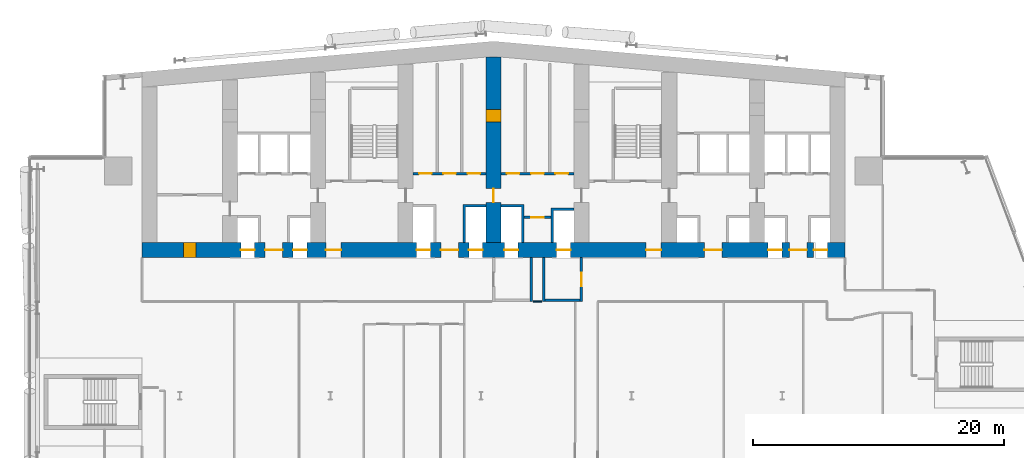
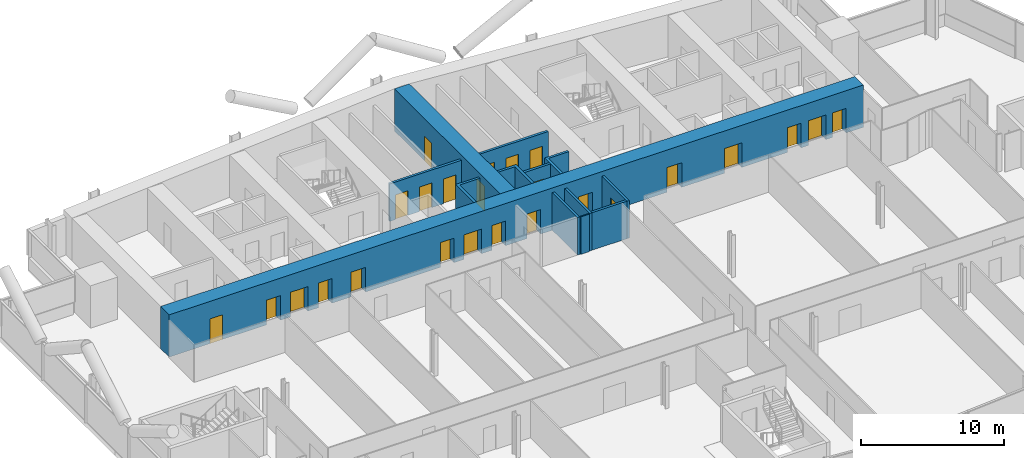
# One storey, part 16 of 27: 25 doors, 13 walls, 25 openings.
"""IFC4 building model written with IfcOpenShell, lengths in metres."""

from ifc_helpers import new_model, si_unit, direction, frame, frame_2d, origin, place, context, subcontext, project, spatial, polyline, rectangle, outline, extrude, material, layer, layer_set, type_object, element, fill, save


model = new_model("IFC4")

# Units and contexts
model_context = context("Model", 3, precision=1e-05, world=origin(), true_north=direction((0.0, 1.0)))
body_context = subcontext(model_context, "Body", "Model", "MODEL_VIEW")
ifc_project = project(units=[si_unit("LENGTHUNIT", "METRE"), si_unit("AREAUNIT", "SQUARE_METRE"), si_unit("VOLUMEUNIT", "CUBIC_METRE"), si_unit("PLANEANGLEUNIT", "RADIAN"), si_unit("MASSUNIT", "GRAM", prefix="KILO")], contexts=[model_context])

# Site, building, storey
site_placement = place(None, origin())
site = spatial("IfcSite", under=ifc_project, at=site_placement, CompositionType="ELEMENT")
building_placement = place(site_placement, origin())
building = spatial("IfcBuilding", under=site, at=building_placement, Name="Wharfspan Tower", CompositionType="ELEMENT")
storey_placement = place(building_placement, frame((0.0, 0.0, 84.699951)))
storey = spatial("IfcBuildingStorey", under=building, at=storey_placement, Name="L18", CompositionType="ELEMENT", Elevation=84.699951)

# Wall
ifc_material_1 = material(Name="Gypsum board on steel studs", Category="steel")
ifc_layer_1 = layer(ifc_material_1, 0.100098)
ifc_layer_set_1 = layer_set([ifc_layer_1], Name="Gypsum board on steel studs")
wall_type_1 = type_object("IfcWallType", Name="Compartment wall 100 EI 60", PredefinedType="PARTITIONING", material=ifc_layer_set_1)
wall_1_placement = place(storey_placement, frame((40.149902, 30.5, 0.0), z_axis=(0.0, 0.0, 1.0), x_axis=(1.0, 0.0, 0.0)))
element("IfcWall", 1, at=wall_1_placement, inside=storey, type_object=wall_type_1, Name="Partition L18.w009 (2)", PredefinedType="PARTITIONING", context=body_context, shape_type="SweptSolid", body=[
    extrude(rectangle(XDim=0.700195, YDim=0.100098, at=frame_2d((0.350098, 0.0))), origin(), (0.0, 0.0, 1.0), 3.199951),
])

# Wall, opening, door
ifc_material_2 = material(Name="Calcium silicate masonry", Category="masonry")
ifc_layer_2 = layer(ifc_material_2, 0.199951)
ifc_layer_set_2 = layer_set([ifc_layer_2], Name="Calcium silicate masonry")
wall_type_2 = type_object("IfcWallType", Name="Core room wall 200", PredefinedType="PARTITIONING", material=ifc_layer_set_2)
wall_2_placement = place(storey_placement, frame((39.43335, 37.199951, 0.0), z_axis=(0.0, 0.0, 1.0), x_axis=(1.0, 0.0, 0.0)))
wall_2 = element("IfcWall", 2, at=wall_2_placement, inside=storey, type_object=wall_type_2, Name="sw:L18:FR4.2", PredefinedType="PARTITIONING", context=body_context, shape_type="SweptSolid", body=[
    extrude(rectangle(XDim=2.133301, YDim=0.199951, at=frame_2d((1.06665, 0.0))), origin(), (0.0, 0.0, 1.0), 3.199951),
])
opening_1_placement = place(wall_2_placement, frame((0.56665, 0.0, 0.0)))
opening_1 = element("IfcOpeningElement", 3, at=opening_1_placement, cuts=wall_2, Name="Opening CD18.4H2", PredefinedType="OPENING", context=body_context, shape_type="SweptSolid", body=[
    extrude(rectangle(XDim=1.0, YDim=2.100098, at=frame_2d((0.5, 1.050049))), frame((0.0, 0.109863, 0.0), z_axis=(0.0, -1.0, 0.0), x_axis=(1.0, 0.0, 0.0)), (0.0, 0.0, 1.0), 0.219971),
])
ifc_material_3 = material(Name="Steel door leaf", Category="steel")
door_type_1 = type_object("IfcDoorType", Name="Core room door 1000x2100", OperationType="SINGLE_SWING_LEFT", PredefinedType="DOOR", material=ifc_material_3)
door_1_placement = place(opening_1_placement, origin())
door_1 = element("IfcDoor", 4, at=door_1_placement, inside=storey, type_object=door_type_1, Name="d:L18:4:fh4.2", OperationType="SINGLE_SWING_RIGHT", OverallHeight=2.100098, OverallWidth=1.0, PredefinedType="DOOR", context=body_context, shape_type="SweptSolid", body=[
    extrude(rectangle(XDim=1.0, YDim=2.100098, at=frame_2d((0.5, 1.050049))), frame((0.0, 0.024902, 0.0), z_axis=(0.0, -1.0, 0.0), x_axis=(1.0, 0.0, 0.0)), (0.0, 0.0, 1.0), 0.050049),
])
fill(opening_1, door_1)

# Wall, openings, doors
ifc_material_4 = material(Name="Concrete C70/85", Category="concrete")
ifc_layer_3 = layer(ifc_material_4, 1.199951)
ifc_layer_set_3 = layer_set([ifc_layer_3], Name="Concrete C70/85")
wall_type_3 = type_object("IfcWallType", Name="Core wall 1200 C70/85", PredefinedType="SHEAR", material=ifc_layer_set_3)
wall_3_placement = place(storey_placement, frame((9.0, 34.600098, 0.0), z_axis=(0.0, 0.0, 1.0), x_axis=(1.0, 0.0, 0.0)))
wall_3 = element("IfcWall", 5, at=wall_3_placement, inside=storey, type_object=wall_type_3, Name="Core front wall L18", PredefinedType="SHEAR", context=body_context, shape_type="SweptSolid", body=[
    extrude(rectangle(XDim=56.0, YDim=1.199951, at=frame_2d((28.0, 0.0))), origin(), (0.0, 0.0, 1.0), 3.600098),
])
opening_2_placement = place(wall_3_placement, frame((3.300049, 0.0, 0.0)))
opening_2 = element("IfcOpeningElement", 6, at=opening_2_placement, cuts=wall_3, Name="Opening CD18.01", PredefinedType="OPENING", context=body_context, shape_type="SweptSolid", body=[
    extrude(rectangle(XDim=1.0, YDim=2.100098, at=frame_2d((0.5, 1.050049))), frame((0.0, 0.609863, 0.0), z_axis=(0.0, -1.0, 0.0), x_axis=(1.0, 0.0, 0.0)), (0.0, 0.0, 1.0), 1.219971),
])
opening_3_placement = place(wall_3_placement, frame((7.866699, 0.0, 0.0)))
opening_3 = element("IfcOpeningElement", 7, at=opening_3_placement, cuts=wall_3, Name="Opening LD.LA1.L18", PredefinedType="OPENING", context=body_context, shape_type="SweptSolid", body=[
    extrude(rectangle(XDim=1.100098, YDim=2.100098, at=frame_2d((0.550049, 1.050049))), frame((0.0, 0.609863, 0.0), z_axis=(0.0, -1.0, 0.0), x_axis=(1.0, 0.0, 0.0)), (0.0, 0.0, 1.0), 1.219971),
])
opening_4_placement = place(wall_3_placement, frame((12.033203, 0.0, 0.0)))
opening_4 = element("IfcOpeningElement", 8, at=opening_4_placement, cuts=wall_3, Name="Opening LD.LA2.L18", PredefinedType="OPENING", context=body_context, shape_type="SweptSolid", body=[
    extrude(rectangle(XDim=1.100098, YDim=2.100098, at=frame_2d((0.550049, 1.050049))), frame((0.0, 0.609863, 0.0), z_axis=(0.0, -1.0, 0.0), x_axis=(1.0, 0.0, 0.0)), (0.0, 0.0, 1.0), 1.219971),
])
opening_5_placement = place(wall_3_placement, frame((9.800049, 0.0, 0.0)))
opening_5 = element("IfcOpeningElement", 9, at=opening_5_placement, cuts=wall_3, Name="Opening HD18.1", PredefinedType="OPENING", context=body_context, shape_type="SweptSolid", body=[
    extrude(rectangle(XDim=1.399902, YDim=2.100098, at=frame_2d((0.699951, 1.050049))), frame((0.0, 0.609863, 0.0), z_axis=(0.0, -1.0, 0.0), x_axis=(1.0, 0.0, 0.0)), (0.0, 0.0, 1.0), 1.219971),
])
opening_6_placement = place(wall_3_placement, frame((14.649902, 0.0, 0.0)))
opening_6 = element("IfcOpeningElement", 10, at=opening_6_placement, cuts=wall_3, Name="Opening SV2.L18", PredefinedType="OPENING", context=body_context, shape_type="SweptSolid", body=[
    extrude(rectangle(XDim=1.199951, YDim=2.100098, at=frame_2d((0.600098, 1.050049))), frame((0.0, 0.609863, 0.0), z_axis=(0.0, -1.0, 0.0), x_axis=(1.0, 0.0, 0.0)), (0.0, 0.0, 1.0), 1.219971),
])
opening_7_placement = place(wall_3_placement, frame((21.866699, 0.0, 0.0)))
opening_7 = element("IfcOpeningElement", 11, at=opening_7_placement, cuts=wall_3, Name="Opening LD.SL1.L18", PredefinedType="OPENING", context=body_context, shape_type="SweptSolid", body=[
    extrude(rectangle(XDim=1.100098, YDim=2.100098, at=frame_2d((0.550049, 1.050049))), frame((0.0, 0.609863, 0.0), z_axis=(0.0, -1.0, 0.0), x_axis=(1.0, 0.0, 0.0)), (0.0, 0.0, 1.0), 1.219971),
])
opening_8_placement = place(wall_3_placement, frame((26.033203, 0.0, 0.0)))
opening_8 = element("IfcOpeningElement", 12, at=opening_8_placement, cuts=wall_3, Name="Opening LD.SL2.L18", PredefinedType="OPENING", context=body_context, shape_type="SweptSolid", body=[
    extrude(rectangle(XDim=1.100098, YDim=2.100098, at=frame_2d((0.550049, 1.050049))), frame((0.0, 0.609863, 0.0), z_axis=(0.0, -1.0, 0.0), x_axis=(1.0, 0.0, 0.0)), (0.0, 0.0, 1.0), 1.219971),
])
opening_9_placement = place(wall_3_placement, frame((23.800049, 0.0, 0.0)))
opening_9 = element("IfcOpeningElement", 13, at=opening_9_placement, cuts=wall_3, Name="Opening HD18.3", PredefinedType="OPENING", context=body_context, shape_type="SweptSolid", body=[
    extrude(rectangle(XDim=1.399902, YDim=2.100098, at=frame_2d((0.699951, 1.050049))), frame((0.0, 0.609863, 0.0), z_axis=(0.0, -1.0, 0.0), x_axis=(1.0, 0.0, 0.0)), (0.0, 0.0, 1.0), 1.219971),
])
opening_10_placement = place(wall_3_placement, frame((28.866699, 0.0, 0.0)))
opening_10 = element("IfcOpeningElement", 14, at=opening_10_placement, cuts=wall_3, Name="Opening LD.FF1.L18", PredefinedType="OPENING", context=body_context, shape_type="SweptSolid", body=[
    extrude(rectangle(XDim=1.100098, YDim=2.100098, at=frame_2d((0.550049, 1.050049))), frame((0.0, 0.609863, 0.0), z_axis=(0.0, -1.0, 0.0), x_axis=(1.0, 0.0, 0.0)), (0.0, 0.0, 1.0), 1.219971),
])
opening_11_placement = place(wall_3_placement, frame((33.033203, 0.0, 0.0)))
opening_11 = element("IfcOpeningElement", 15, at=opening_11_placement, cuts=wall_3, Name="Opening LD.FF2.L18", PredefinedType="OPENING", context=body_context, shape_type="SweptSolid", body=[
    extrude(rectangle(XDim=1.100098, YDim=2.100098, at=frame_2d((0.550049, 1.050049))), frame((0.0, 0.609863, 0.0), z_axis=(0.0, -1.0, 0.0), x_axis=(1.0, 0.0, 0.0)), (0.0, 0.0, 1.0), 1.219971),
])
opening_12_placement = place(wall_3_placement, frame((40.149902, 0.0, 0.0)))
opening_12 = element("IfcOpeningElement", 16, at=opening_12_placement, cuts=wall_3, Name="Opening SV5.L18", PredefinedType="OPENING", context=body_context, shape_type="SweptSolid", body=[
    extrude(rectangle(XDim=1.199951, YDim=2.100098, at=frame_2d((0.600098, 1.050049))), frame((0.0, 0.609863, 0.0), z_axis=(0.0, -1.0, 0.0), x_axis=(1.0, 0.0, 0.0)), (0.0, 0.0, 1.0), 1.219971),
])
opening_13_placement = place(wall_3_placement, frame((44.800049, 0.0, 0.0)))
opening_13 = element("IfcOpeningElement", 17, at=opening_13_placement, cuts=wall_3, Name="Opening HD18.6", PredefinedType="OPENING", context=body_context, shape_type="SweptSolid", body=[
    extrude(rectangle(XDim=1.399902, YDim=2.100098, at=frame_2d((0.699951, 1.050049))), frame((0.0, 0.609863, 0.0), z_axis=(0.0, -1.0, 0.0), x_axis=(1.0, 0.0, 0.0)), (0.0, 0.0, 1.0), 1.219971),
])
opening_14_placement = place(wall_3_placement, frame((49.866699, 0.0, 0.0)))
opening_14 = element("IfcOpeningElement", 18, at=opening_14_placement, cuts=wall_3, Name="Opening LD.LA6.L18", PredefinedType="OPENING", context=body_context, shape_type="SweptSolid", body=[
    extrude(rectangle(XDim=1.100098, YDim=2.100098, at=frame_2d((0.550049, 1.050049))), frame((0.0, 0.609863, 0.0), z_axis=(0.0, -1.0, 0.0), x_axis=(1.0, 0.0, 0.0)), (0.0, 0.0, 1.0), 1.219971),
])
opening_15_placement = place(wall_3_placement, frame((53.5, 0.0, 0.0)))
opening_15 = element("IfcOpeningElement", 19, at=opening_15_placement, cuts=wall_3, Name="Opening LD.LA7.L18", PredefinedType="OPENING", context=body_context, shape_type="SweptSolid", body=[
    extrude(rectangle(XDim=1.100098, YDim=2.100098, at=frame_2d((0.550049, 1.050049))), frame((0.0, 0.609863, 0.0), z_axis=(0.0, -1.0, 0.0), x_axis=(1.0, 0.0, 0.0)), (0.0, 0.0, 1.0), 1.219971),
])
opening_16_placement = place(wall_3_placement, frame((51.56665, 0.0, 0.0)))
opening_16 = element("IfcOpeningElement", 20, at=opening_16_placement, cuts=wall_3, Name="Opening HD18.7", PredefinedType="OPENING", context=body_context, shape_type="SweptSolid", body=[
    extrude(rectangle(XDim=1.399902, YDim=2.100098, at=frame_2d((0.699951, 1.050049))), frame((0.0, 0.609863, 0.0), z_axis=(0.0, -1.0, 0.0), x_axis=(1.0, 0.0, 0.0)), (0.0, 0.0, 1.0), 1.219971),
])
door_2_placement = place(opening_2_placement, origin())
door_2 = element("IfcDoor", 21, at=door_2_placement, inside=storey, type_object=door_type_1, Name="d:L18:0:rf", OperationType="SINGLE_SWING_LEFT", OverallHeight=2.100098, OverallWidth=1.0, PredefinedType="DOOR", context=body_context, shape_type="SweptSolid", body=[
    extrude(rectangle(XDim=1.0, YDim=2.100098, at=frame_2d((0.5, 1.050049))), frame((0.0, 0.599609, 0.0), z_axis=(0.0, -1.0, 0.0), x_axis=(1.0, 0.0, 0.0)), (0.0, 0.0, 1.0), 1.199463),
])
fill(opening_2, door_2)
door_type_2 = type_object("IfcDoorType", Name="Hall entry door 1400x2100", OperationType="DOUBLE_DOOR_SINGLE_SWING", PredefinedType="DOOR", material=ifc_material_3)
door_3_placement = place(opening_5_placement, origin())
door_3 = element("IfcDoor", 22, at=door_3_placement, inside=storey, type_object=door_type_2, Name="d:L18:1:hd1", OperationType="DOUBLE_DOOR_SINGLE_SWING", OverallHeight=2.100098, OverallWidth=1.399902, PredefinedType="DOOR", context=body_context, shape_type="SweptSolid", body=[
    extrude(rectangle(XDim=1.399902, YDim=2.100098, at=frame_2d((0.699951, 1.050049))), frame((0.0, 0.024902, 0.0), z_axis=(0.0, -1.0, 0.0), x_axis=(1.0, 0.0, 0.0)), (0.0, 0.0, 1.0), 0.050049),
])
fill(opening_5, door_3)
door_4_placement = place(opening_9_placement, origin())
door_4 = element("IfcDoor", 23, at=door_4_placement, inside=storey, type_object=door_type_2, Name="d:L18:3:hd3", OperationType="DOUBLE_DOOR_SINGLE_SWING", OverallHeight=2.100098, OverallWidth=1.399902, PredefinedType="DOOR", context=body_context, shape_type="SweptSolid", body=[
    extrude(rectangle(XDim=1.399902, YDim=2.100098, at=frame_2d((0.699951, 1.050049))), frame((0.0, 0.024902, 0.0), z_axis=(0.0, -1.0, 0.0), x_axis=(1.0, 0.0, 0.0)), (0.0, 0.0, 1.0), 0.050049),
])
fill(opening_9, door_4)
door_5_placement = place(opening_13_placement, origin())
door_5 = element("IfcDoor", 24, at=door_5_placement, inside=storey, type_object=door_type_2, Name="d:L18:6:hd6", OperationType="DOUBLE_DOOR_SINGLE_SWING", OverallHeight=2.100098, OverallWidth=1.399902, PredefinedType="DOOR", context=body_context, shape_type="SweptSolid", body=[
    extrude(rectangle(XDim=1.399902, YDim=2.100098, at=frame_2d((0.699951, 1.050049))), frame((0.0, 0.024902, 0.0), z_axis=(0.0, -1.0, 0.0), x_axis=(1.0, 0.0, 0.0)), (0.0, 0.0, 1.0), 0.050049),
])
fill(opening_13, door_5)
door_6_placement = place(opening_16_placement, origin())
door_6 = element("IfcDoor", 25, at=door_6_placement, inside=storey, type_object=door_type_2, Name="d:L18:7:hd7", OperationType="DOUBLE_DOOR_SINGLE_SWING", OverallHeight=2.100098, OverallWidth=1.399902, PredefinedType="DOOR", context=body_context, shape_type="SweptSolid", body=[
    extrude(rectangle(XDim=1.399902, YDim=2.100098, at=frame_2d((0.699951, 1.050049))), frame((0.0, 0.024902, 0.0), z_axis=(0.0, -1.0, 0.0), x_axis=(1.0, 0.0, 0.0)), (0.0, 0.0, 1.0), 0.050049),
])
fill(opening_16, door_6)
ifc_material_5 = material(Name="Stainless steel", Category="steel")
door_type_3 = type_object("IfcDoorType", Name="Lift landing door 1100x2100", OperationType="DOUBLE_DOOR_SLIDING", PredefinedType="DOOR", material=ifc_material_5)
door_7_placement = place(opening_3_placement, origin())
door_7 = element("IfcDoor", 26, at=door_7_placement, inside=storey, type_object=door_type_3, Name="Landing door LA1 L18", OperationType="DOUBLE_DOOR_SLIDING", OverallHeight=2.100098, OverallWidth=1.100098, PredefinedType="DOOR", context=body_context, shape_type="SweptSolid", body=[
    extrude(rectangle(XDim=1.100098, YDim=2.100098, at=frame_2d((0.550049, 1.050049))), frame((0.0, 0.024902, 0.0), z_axis=(0.0, -1.0, 0.0), x_axis=(1.0, 0.0, 0.0)), (0.0, 0.0, 1.0), 0.050049),
])
fill(opening_3, door_7)
door_8_placement = place(opening_4_placement, origin())
door_8 = element("IfcDoor", 27, at=door_8_placement, inside=storey, type_object=door_type_3, Name="Landing door LA2 L18", OperationType="DOUBLE_DOOR_SLIDING", OverallHeight=2.100098, OverallWidth=1.100098, PredefinedType="DOOR", context=body_context, shape_type="SweptSolid", body=[
    extrude(rectangle(XDim=1.100098, YDim=2.100098, at=frame_2d((0.550049, 1.050049))), frame((0.0, 0.024902, 0.0), z_axis=(0.0, -1.0, 0.0), x_axis=(1.0, 0.0, 0.0)), (0.0, 0.0, 1.0), 0.050049),
])
fill(opening_4, door_8)
door_9_placement = place(opening_7_placement, origin())
door_9 = element("IfcDoor", 28, at=door_9_placement, inside=storey, type_object=door_type_3, Name="Landing door SL1 L18", OperationType="DOUBLE_DOOR_SLIDING", OverallHeight=2.100098, OverallWidth=1.100098, PredefinedType="DOOR", context=body_context, shape_type="SweptSolid", body=[
    extrude(rectangle(XDim=1.100098, YDim=2.100098, at=frame_2d((0.550049, 1.050049))), frame((0.0, 0.024902, 0.0), z_axis=(0.0, -1.0, 0.0), x_axis=(1.0, 0.0, 0.0)), (0.0, 0.0, 1.0), 0.050049),
])
fill(opening_7, door_9)
door_10_placement = place(opening_8_placement, origin())
door_10 = element("IfcDoor", 29, at=door_10_placement, inside=storey, type_object=door_type_3, Name="Landing door SL2 L18", OperationType="DOUBLE_DOOR_SLIDING", OverallHeight=2.100098, OverallWidth=1.100098, PredefinedType="DOOR", context=body_context, shape_type="SweptSolid", body=[
    extrude(rectangle(XDim=1.100098, YDim=2.100098, at=frame_2d((0.550049, 1.050049))), frame((0.0, 0.024902, 0.0), z_axis=(0.0, -1.0, 0.0), x_axis=(1.0, 0.0, 0.0)), (0.0, 0.0, 1.0), 0.050049),
])
fill(opening_8, door_10)
door_11_placement = place(opening_10_placement, origin())
door_11 = element("IfcDoor", 30, at=door_11_placement, inside=storey, type_object=door_type_3, Name="Landing door FF1 L18", OperationType="DOUBLE_DOOR_SLIDING", OverallHeight=2.100098, OverallWidth=1.100098, PredefinedType="DOOR", context=body_context, shape_type="SweptSolid", body=[
    extrude(rectangle(XDim=1.100098, YDim=2.100098, at=frame_2d((0.550049, 1.050049))), frame((0.0, 0.024902, 0.0), z_axis=(0.0, -1.0, 0.0), x_axis=(1.0, 0.0, 0.0)), (0.0, 0.0, 1.0), 0.050049),
])
fill(opening_10, door_11)
door_12_placement = place(opening_11_placement, origin())
door_12 = element("IfcDoor", 31, at=door_12_placement, inside=storey, type_object=door_type_3, Name="Landing door FF2 L18", OperationType="DOUBLE_DOOR_SLIDING", OverallHeight=2.100098, OverallWidth=1.100098, PredefinedType="DOOR", context=body_context, shape_type="SweptSolid", body=[
    extrude(rectangle(XDim=1.100098, YDim=2.100098, at=frame_2d((0.550049, 1.050049))), frame((0.0, 0.024902, 0.0), z_axis=(0.0, -1.0, 0.0), x_axis=(1.0, 0.0, 0.0)), (0.0, 0.0, 1.0), 0.050049),
])
fill(opening_11, door_12)
door_13_placement = place(opening_14_placement, origin())
door_13 = element("IfcDoor", 32, at=door_13_placement, inside=storey, type_object=door_type_3, Name="Landing door LA6 L18", OperationType="DOUBLE_DOOR_SLIDING", OverallHeight=2.100098, OverallWidth=1.100098, PredefinedType="DOOR", context=body_context, shape_type="SweptSolid", body=[
    extrude(rectangle(XDim=1.100098, YDim=2.100098, at=frame_2d((0.550049, 1.050049))), frame((0.0, 0.024902, 0.0), z_axis=(0.0, -1.0, 0.0), x_axis=(1.0, 0.0, 0.0)), (0.0, 0.0, 1.0), 0.050049),
])
fill(opening_14, door_13)
door_14_placement = place(opening_15_placement, origin())
door_14 = element("IfcDoor", 33, at=door_14_placement, inside=storey, type_object=door_type_3, Name="Landing door LA7 L18", OperationType="DOUBLE_DOOR_SLIDING", OverallHeight=2.100098, OverallWidth=1.100098, PredefinedType="DOOR", context=body_context, shape_type="SweptSolid", body=[
    extrude(rectangle(XDim=1.100098, YDim=2.100098, at=frame_2d((0.550049, 1.050049))), frame((0.0, 0.024902, 0.0), z_axis=(0.0, -1.0, 0.0), x_axis=(1.0, 0.0, 0.0)), (0.0, 0.0, 1.0), 0.050049),
])
fill(opening_15, door_14)
door_type_4 = type_object("IfcDoorType", Name="Stair door 1200x2100", OperationType="SINGLE_SWING_LEFT", PredefinedType="DOOR", material=ifc_material_3)
door_15_placement = place(opening_6_placement, origin())
door_15 = element("IfcDoor", 34, at=door_15_placement, inside=storey, type_object=door_type_4, Name="vd:L18:2", OperationType="SINGLE_SWING_LEFT", OverallHeight=2.100098, OverallWidth=1.199951, PredefinedType="DOOR", context=body_context, shape_type="SweptSolid", body=[
    extrude(rectangle(XDim=1.199951, YDim=2.100098, at=frame_2d((0.600098, 1.050049))), frame((0.0, 0.024902, 0.0), z_axis=(0.0, -1.0, 0.0), x_axis=(1.0, 0.0, 0.0)), (0.0, 0.0, 1.0), 0.050049),
])
fill(opening_6, door_15)
door_16_placement = place(opening_12_placement, origin())
door_16 = element("IfcDoor", 35, at=door_16_placement, inside=storey, type_object=door_type_4, Name="vd:L18:5", OperationType="SINGLE_SWING_LEFT", OverallHeight=2.100098, OverallWidth=1.199951, PredefinedType="DOOR", context=body_context, shape_type="SweptSolid", body=[
    extrude(rectangle(XDim=1.199951, YDim=2.100098, at=frame_2d((0.600098, 1.050049))), frame((0.0, 0.024902, 0.0), z_axis=(0.0, -1.0, 0.0), x_axis=(1.0, 0.0, 0.0)), (0.0, 0.0, 1.0), 0.050049),
])
fill(opening_12, door_16)

wall_4_placement = place(storey_placement, frame((37.0, 35.199951, 0.0), z_axis=(0.0, 0.0, 1.0), x_axis=(0.0, 1.0, 0.0)))
wall_4 = element("IfcWall", 36, at=wall_4_placement, inside=storey, type_object=wall_type_3, Name="Core cross wall X4 L18", PredefinedType="SHEAR", context=body_context, shape_type="SweptSolid", body=[
    extrude(rectangle(XDim=14.780029, YDim=1.199951, at=frame_2d((7.390137, 0.0))), origin(), (0.0, 0.0, 1.0), 3.600098),
])
opening_17_placement = place(wall_4_placement, frame((3.199951, 0.0, 0.0)))
opening_17 = element("IfcOpeningElement", 37, at=opening_17_placement, cuts=wall_4, Name="Opening CC18.4", PredefinedType="OPENING", context=body_context, shape_type="SweptSolid", body=[
    extrude(rectangle(XDim=1.100098, YDim=2.100098, at=frame_2d((0.550049, 1.050049))), frame((0.0, 0.609863, 0.0), z_axis=(0.0, -1.0, 0.0), x_axis=(1.0, 0.0, 0.0)), (0.0, 0.0, 1.0), 1.219971),
])
opening_18_placement = place(wall_4_placement, frame((9.600098, 0.0, 0.0)))
opening_18 = element("IfcOpeningElement", 38, at=opening_18_placement, cuts=wall_4, Name="Opening CR18.4", PredefinedType="OPENING", context=body_context, shape_type="SweptSolid", body=[
    extrude(rectangle(XDim=1.0, YDim=2.100098, at=frame_2d((0.5, 1.050049))), frame((0.0, 0.609863, 0.0), z_axis=(0.0, -1.0, 0.0), x_axis=(1.0, 0.0, 0.0)), (0.0, 0.0, 1.0), 1.219971),
])
door_type_5 = type_object("IfcDoorType", Name="Core corridor door 1100x2100", OperationType="SINGLE_SWING_LEFT", PredefinedType="DOOR", material=ifc_material_3)
door_17_placement = place(opening_17_placement, origin())
door_17 = element("IfcDoor", 39, at=door_17_placement, inside=storey, type_object=door_type_5, Name="xd:L18:4", OperationType="SINGLE_SWING_RIGHT", OverallHeight=2.100098, OverallWidth=1.100098, PredefinedType="DOOR", context=body_context, shape_type="SweptSolid", body=[
    extrude(rectangle(XDim=1.100098, YDim=2.100098, at=frame_2d((0.550049, 1.050049))), frame((0.0, 0.024902, 0.0), z_axis=(0.0, -1.0, 0.0), x_axis=(1.0, 0.0, 0.0)), (0.0, 0.0, 1.0), 0.050049),
])
fill(opening_17, door_17)
door_18_placement = place(opening_18_placement, origin())
door_18 = element("IfcDoor", 40, at=door_18_placement, inside=storey, type_object=door_type_1, Name="xr:L18:4", OperationType="SINGLE_SWING_RIGHT", OverallHeight=2.100098, OverallWidth=1.0, PredefinedType="DOOR", context=body_context, shape_type="SweptSolid", body=[
    extrude(rectangle(XDim=1.0, YDim=2.100098, at=frame_2d((0.5, 1.050049))), frame((0.0, 0.599609, 0.0), z_axis=(0.0, -1.0, 0.0), x_axis=(1.0, 0.0, 0.0)), (0.0, 0.0, 1.0), 1.199463),
])
fill(opening_18, door_18)

ifc_material_6 = material(Name="Concrete C30/37", Category="concrete")
ifc_layer_4 = layer(ifc_material_6, 0.199951)
ifc_layer_set_4 = layer_set([ifc_layer_4], Name="Concrete C30/37")
wall_type_4 = type_object("IfcWallType", Name="Lift shaft wall 200", PredefinedType="PARTITIONING", material=ifc_layer_set_4)
wall_5_placement = place(storey_placement, frame((30.600098, 40.699951, 0.0), z_axis=(0.0, 0.0, 1.0), x_axis=(1.0, 0.0, 0.0)))
wall_5 = element("IfcWall", 41, at=wall_5_placement, inside=storey, type_object=wall_type_4, Name="sw:L18:RF3", PredefinedType="PARTITIONING", context=body_context, shape_type="SweptSolid", body=[
    extrude(rectangle(XDim=5.799805, YDim=0.199951, at=frame_2d((2.899902, 0.0))), origin(), (0.0, 0.0, 1.0), 3.199951),
])
opening_19_placement = place(wall_5_placement, frame((0.466797, 0.0, 0.0)))
opening_19 = element("IfcOpeningElement", 42, at=opening_19_placement, cuts=wall_5, Name="Opening CD18.3S", PredefinedType="OPENING", context=body_context, shape_type="SweptSolid", body=[
    extrude(rectangle(XDim=1.0, YDim=2.100098, at=frame_2d((0.5, 1.050049))), frame((0.0, 0.109863, 0.0), z_axis=(0.0, -1.0, 0.0), x_axis=(1.0, 0.0, 0.0)), (0.0, 0.0, 1.0), 0.219971),
])
opening_20_placement = place(wall_5_placement, frame((2.399902, 0.0, 0.0)))
opening_20 = element("IfcOpeningElement", 43, at=opening_20_placement, cuts=wall_5, Name="Opening CD18.3Sa", PredefinedType="OPENING", context=body_context, shape_type="SweptSolid", body=[
    extrude(rectangle(XDim=1.0, YDim=2.100098, at=frame_2d((0.5, 1.050049))), frame((0.0, 0.109863, 0.0), z_axis=(0.0, -1.0, 0.0), x_axis=(1.0, 0.0, 0.0)), (0.0, 0.0, 1.0), 0.219971),
])
opening_21_placement = place(wall_5_placement, frame((4.333252, 0.0, 0.0)))
opening_21 = element("IfcOpeningElement", 44, at=opening_21_placement, cuts=wall_5, Name="Opening CD18.3Sb", PredefinedType="OPENING", context=body_context, shape_type="SweptSolid", body=[
    extrude(rectangle(XDim=1.0, YDim=2.100098, at=frame_2d((0.5, 1.050049))), frame((0.0, 0.109863, 0.0), z_axis=(0.0, -1.0, 0.0), x_axis=(1.0, 0.0, 0.0)), (0.0, 0.0, 1.0), 0.219971),
])
door_19_placement = place(opening_19_placement, origin())
door_19 = element("IfcDoor", 45, at=door_19_placement, inside=storey, type_object=door_type_1, Name="d:L18:3:sf", OperationType="SINGLE_SWING_LEFT", OverallHeight=2.100098, OverallWidth=1.0, PredefinedType="DOOR", context=body_context, shape_type="SweptSolid", body=[
    extrude(rectangle(XDim=1.0, YDim=2.100098, at=frame_2d((0.5, 1.050049))), frame((0.0, 0.024902, 0.0), z_axis=(0.0, -1.0, 0.0), x_axis=(1.0, 0.0, 0.0)), (0.0, 0.0, 1.0), 0.050049),
])
fill(opening_19, door_19)
door_20_placement = place(opening_20_placement, origin())
door_20 = element("IfcDoor", 46, at=door_20_placement, inside=storey, type_object=door_type_1, Name="d:L18:3:sf1", OperationType="SINGLE_SWING_LEFT", OverallHeight=2.100098, OverallWidth=1.0, PredefinedType="DOOR", context=body_context, shape_type="SweptSolid", body=[
    extrude(rectangle(XDim=1.0, YDim=2.100098, at=frame_2d((0.5, 1.050049))), frame((0.0, 0.024902, 0.0), z_axis=(0.0, -1.0, 0.0), x_axis=(1.0, 0.0, 0.0)), (0.0, 0.0, 1.0), 0.050049),
])
fill(opening_20, door_20)
door_21_placement = place(opening_21_placement, origin())
door_21 = element("IfcDoor", 47, at=door_21_placement, inside=storey, type_object=door_type_1, Name="d:L18:3:sf2", OperationType="SINGLE_SWING_LEFT", OverallHeight=2.100098, OverallWidth=1.0, PredefinedType="DOOR", context=body_context, shape_type="SweptSolid", body=[
    extrude(rectangle(XDim=1.0, YDim=2.100098, at=frame_2d((0.5, 1.050049))), frame((0.0, 0.024902, 0.0), z_axis=(0.0, -1.0, 0.0), x_axis=(1.0, 0.0, 0.0)), (0.0, 0.0, 1.0), 0.050049),
])
fill(opening_21, door_21)

# Wall
wall_6_placement = place(storey_placement, frame((0.0, 0.0, -0.000244)))
element("IfcWall", 48, at=wall_6_placement, inside=storey, type_object=wall_type_4, Name="sw:L18:FM3.1", PredefinedType="PARTITIONING", context=body_context, shape_type="SweptSolid", body=[
    extrude(outline(polyline([(34.56665, 38.25), (34.766602, 38.25), (36.399902, 38.25), (36.399902, 38.050049), (34.766602, 38.050049), (34.766602, 35.199951), (34.56665, 35.199951), (34.56665, 38.25)])), origin(), (0.0, 0.0, 1.0), 3.200195),
])

# Wall, openings, doors
wall_7_placement = place(storey_placement, frame((37.600098, 40.699951, 0.0), z_axis=(0.0, 0.0, 1.0), x_axis=(1.0, 0.0, 0.0)))
wall_7 = element("IfcWall", 49, at=wall_7_placement, inside=storey, type_object=wall_type_4, Name="sw:L18:RF4", PredefinedType="PARTITIONING", context=body_context, shape_type="SweptSolid", body=[
    extrude(rectangle(XDim=5.799805, YDim=0.199951, at=frame_2d((2.899902, 0.0))), origin(), (0.0, 0.0, 1.0), 3.199951),
])
opening_22_placement = place(wall_7_placement, frame((0.466797, 0.0, 0.0)))
opening_22 = element("IfcOpeningElement", 50, at=opening_22_placement, cuts=wall_7, Name="Opening CD18.4S", PredefinedType="OPENING", context=body_context, shape_type="SweptSolid", body=[
    extrude(rectangle(XDim=1.0, YDim=2.100098, at=frame_2d((0.5, 1.050049))), frame((0.0, 0.109863, 0.0), z_axis=(0.0, -1.0, 0.0), x_axis=(1.0, 0.0, 0.0)), (0.0, 0.0, 1.0), 0.219971),
])
opening_23_placement = place(wall_7_placement, frame((2.399902, 0.0, 0.0)))
opening_23 = element("IfcOpeningElement", 51, at=opening_23_placement, cuts=wall_7, Name="Opening CD18.4Sa", PredefinedType="OPENING", context=body_context, shape_type="SweptSolid", body=[
    extrude(rectangle(XDim=1.0, YDim=2.100098, at=frame_2d((0.5, 1.050049))), frame((0.0, 0.109863, 0.0), z_axis=(0.0, -1.0, 0.0), x_axis=(1.0, 0.0, 0.0)), (0.0, 0.0, 1.0), 0.219971),
])
opening_24_placement = place(wall_7_placement, frame((4.333252, 0.0, 0.0)))
opening_24 = element("IfcOpeningElement", 52, at=opening_24_placement, cuts=wall_7, Name="Opening CD18.4Sb", PredefinedType="OPENING", context=body_context, shape_type="SweptSolid", body=[
    extrude(rectangle(XDim=1.0, YDim=2.100098, at=frame_2d((0.5, 1.050049))), frame((0.0, 0.109863, 0.0), z_axis=(0.0, -1.0, 0.0), x_axis=(1.0, 0.0, 0.0)), (0.0, 0.0, 1.0), 0.219971),
])
door_22_placement = place(opening_22_placement, origin())
door_22 = element("IfcDoor", 53, at=door_22_placement, inside=storey, type_object=door_type_1, Name="d:L18:4:sf", OperationType="SINGLE_SWING_LEFT", OverallHeight=2.100098, OverallWidth=1.0, PredefinedType="DOOR", context=body_context, shape_type="SweptSolid", body=[
    extrude(rectangle(XDim=1.0, YDim=2.100098, at=frame_2d((0.5, 1.050049))), frame((0.0, 0.024902, 0.0), z_axis=(0.0, -1.0, 0.0), x_axis=(1.0, 0.0, 0.0)), (0.0, 0.0, 1.0), 0.050049),
])
fill(opening_22, door_22)
door_23_placement = place(opening_23_placement, origin())
door_23 = element("IfcDoor", 54, at=door_23_placement, inside=storey, type_object=door_type_1, Name="d:L18:4:sf1", OperationType="SINGLE_SWING_LEFT", OverallHeight=2.100098, OverallWidth=1.0, PredefinedType="DOOR", context=body_context, shape_type="SweptSolid", body=[
    extrude(rectangle(XDim=1.0, YDim=2.100098, at=frame_2d((0.5, 1.050049))), frame((0.0, 0.024902, 0.0), z_axis=(0.0, -1.0, 0.0), x_axis=(1.0, 0.0, 0.0)), (0.0, 0.0, 1.0), 0.050049),
])
fill(opening_23, door_23)
door_24_placement = place(opening_24_placement, origin())
door_24 = element("IfcDoor", 55, at=door_24_placement, inside=storey, type_object=door_type_1, Name="d:L18:4:sf2", OperationType="SINGLE_SWING_LEFT", OverallHeight=2.100098, OverallWidth=1.0, PredefinedType="DOOR", context=body_context, shape_type="SweptSolid", body=[
    extrude(rectangle(XDim=1.0, YDim=2.100098, at=frame_2d((0.5, 1.050049))), frame((0.0, 0.024902, 0.0), z_axis=(0.0, -1.0, 0.0), x_axis=(1.0, 0.0, 0.0)), (0.0, 0.0, 1.0), 0.050049),
])
fill(opening_24, door_24)

# Walls
wall_8_placement = place(storey_placement, frame((0.0, 0.0, -0.000244)))
element("IfcWall", 56, at=wall_8_placement, inside=storey, type_object=wall_type_4, Name="sw:L18:FM4.0", PredefinedType="PARTITIONING", context=body_context, shape_type="SweptSolid", body=[
    extrude(outline(polyline([(41.56665, 37.949951), (41.766602, 37.949951), (43.399902, 37.949951), (43.399902, 37.75), (41.766602, 37.75), (41.766602, 35.199951), (41.56665, 35.199951), (41.56665, 37.949951)])), origin(), (0.0, 0.0, 1.0), 3.200195),
])
wall_9_placement = place(storey_placement, frame((0.0, 0.0, -0.000244)))
element("IfcWall", 57, at=wall_9_placement, inside=storey, type_object=wall_type_4, Name="sw:L18:FM4.1", PredefinedType="PARTITIONING", context=body_context, shape_type="SweptSolid", body=[
    extrude(outline(polyline([(39.233398, 38.050049), (37.600098, 38.050049), (37.600098, 38.25), (39.233398, 38.25), (39.43335, 38.25), (39.43335, 35.199951), (39.233398, 35.199951), (39.233398, 38.050049)])), origin(), (0.0, 0.0, 1.0), 3.200195),
])
ifc_layer_5 = layer(ifc_material_6, 0.199951)
ifc_layer_set_5 = layer_set([ifc_layer_5], Name="Concrete C30/37")
wall_type_5 = type_object("IfcWallType", Name="Lobby wall 200", PredefinedType="PARTITIONING", material=ifc_layer_set_5)
for number, where, z_axis, x_axis, name in (
    (58, (40.0, 30.5, 0.0), (0.0, 0.0, 1.0), (0.0, 1.0, 0.0), "sw:L18:FLFF1E"),
    (59, (41.0, 30.5, 0.0), (0.0, 0.0, 1.0), (0.0, 1.0, 0.0), "sw:L18:FLFF2W"),
):
    element("IfcWall", number, at=place(storey_placement, frame(where, z_axis=z_axis, x_axis=x_axis)), inside=storey, type_object=wall_type_5, Name=name, PredefinedType="PARTITIONING", context=body_context, shape_type="SweptSolid", body=[
        extrude(rectangle(XDim=3.5, YDim=0.199951, at=frame_2d((1.75, 0.0))), origin(), (0.0, 0.0, 1.0), 3.199951),
    ])

# Wall, opening, door
wall_10_placement = place(storey_placement, frame((44.0, 30.5, 0.0), z_axis=(0.0, 0.0, 1.0), x_axis=(0.0, 1.0, 0.0)))
wall_10 = element("IfcWall", 60, at=wall_10_placement, inside=storey, type_object=wall_type_5, Name="sw:L18:FLFF2E", PredefinedType="PARTITIONING", context=body_context, shape_type="SweptSolid", body=[
    extrude(rectangle(XDim=3.5, YDim=0.199951, at=frame_2d((1.75, 0.0))), origin(), (0.0, 0.0, 1.0), 3.199951),
])
opening_25_placement = place(wall_10_placement, frame((1.199951, 0.0, 0.0)))
opening_25 = element("IfcOpeningElement", 61, at=opening_25_placement, cuts=wall_10, Name="Opening FL.FF2.L18", PredefinedType="OPENING", context=body_context, shape_type="SweptSolid", body=[
    extrude(rectangle(XDim=1.100098, YDim=2.100098, at=frame_2d((0.550049, 1.050049))), frame((0.0, 0.109863, 0.0), z_axis=(0.0, -1.0, 0.0), x_axis=(1.0, 0.0, 0.0)), (0.0, 0.0, 1.0), 0.219971),
])
door_type_6 = type_object("IfcDoorType", Name="Firefighting lobby door 1100x2100", OperationType="SINGLE_SWING_LEFT", PredefinedType="DOOR", material=ifc_material_3)
door_25_placement = place(opening_25_placement, origin())
door_25 = element("IfcDoor", 62, at=door_25_placement, inside=storey, type_object=door_type_6, Name="fd:L18:FF2", OperationType="SINGLE_SWING_LEFT", OverallHeight=2.100098, OverallWidth=1.100098, PredefinedType="DOOR", context=body_context, shape_type="SweptSolid", body=[
    extrude(rectangle(XDim=1.100098, YDim=2.100098, at=frame_2d((0.550049, 1.050049))), frame((0.0, 0.024902, 0.0), z_axis=(0.0, -1.0, 0.0), x_axis=(1.0, 0.0, 0.0)), (0.0, 0.0, 1.0), 0.050049),
])
fill(opening_25, door_25)

# Wall
wall_11_placement = place(storey_placement, frame((41.100098, 30.600098, 0.0), z_axis=(0.0, 0.0, 1.0), x_axis=(1.0, 0.0, 0.0)))
element("IfcWall", 63, at=wall_11_placement, inside=storey, type_object=wall_type_5, Name="sw:L18:FLFF2F", PredefinedType="PARTITIONING", context=body_context, shape_type="SweptSolid", body=[
    extrude(rectangle(XDim=2.799805, YDim=0.199951, at=frame_2d((1.399902, 0.0))), origin(), (0.0, 0.0, 1.0), 3.199951),
])

save(model, "model.ifc")
